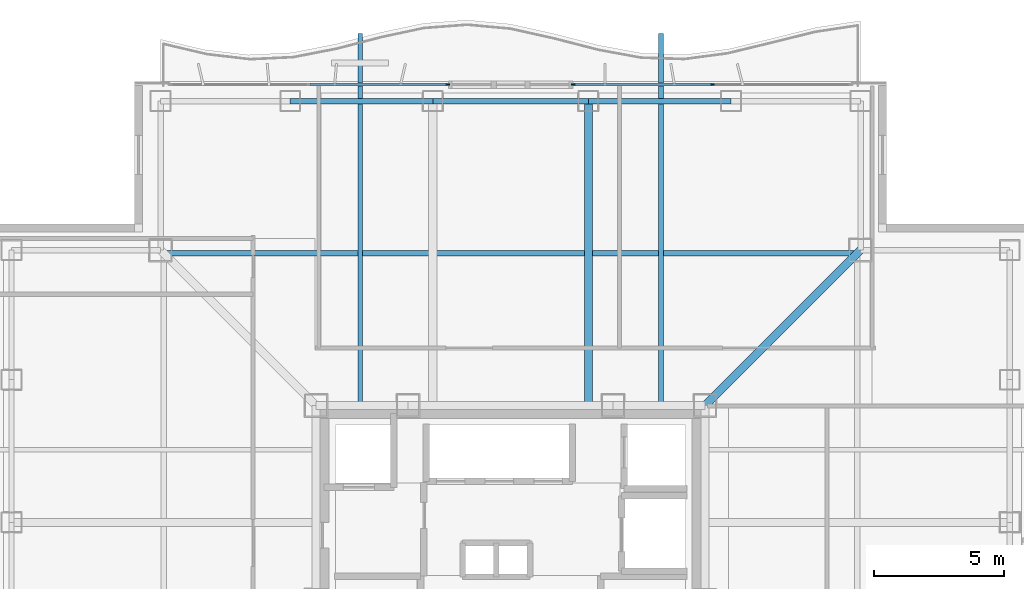
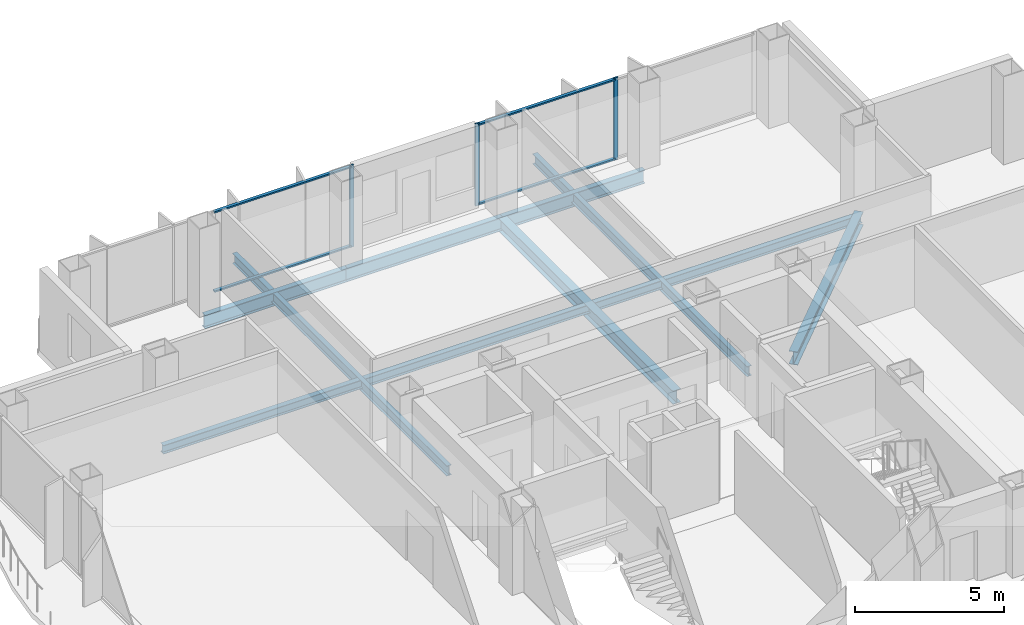
# One storey, part 8 of 16: 8 beams, 7 members, 2 elements without a shape of their own.
"""IFC4 building model written with IfcOpenShell, lengths in metres."""

from ifc_helpers import new_model, si_unit, direction, frame, origin, origin_2d, place, context, subcontext, project, spatial, rectangle, i_section, extrude, material, layer, layer_set, material_profile, profile_set, type_object, element, aggregate, save


model = new_model("IFC4")

# Units and contexts
model_context = context("Model", 3, precision=1e-05, world=origin(), true_north=direction((0.0, 1.0)))
body_context = subcontext(model_context, "Body", "Model", "MODEL_VIEW")
ifc_project = project(units=[si_unit("LENGTHUNIT", "METRE"), si_unit("AREAUNIT", "SQUARE_METRE"), si_unit("VOLUMEUNIT", "CUBIC_METRE"), si_unit("PLANEANGLEUNIT", "RADIAN"), si_unit("MASSUNIT", "GRAM", prefix="KILO")], contexts=[model_context])

# Site, building, storey
site_placement = place(None, origin())
site = spatial("IfcSite", under=ifc_project, at=site_placement, CompositionType="ELEMENT")
building_placement = place(site_placement, origin())
building = spatial("IfcBuilding", under=site, at=building_placement, Name="Trevonay Congress Spire", CompositionType="ELEMENT")
storey_placement = place(building_placement, frame((0.0, 0.0, 195.0)))
storey = spatial("IfcBuildingStorey", under=building, at=storey_placement, Name="L50", CompositionType="ELEMENT", Elevation=195.0)

# Beams
ifc_material_1 = material(Name="Steel ASTM A572 Grade 50", Category="steel")
ifc_material_profile_1 = material_profile(ifc_material_1, i_section(OverallWidth=0.31201171875, OverallDepth=0.54296875, WebThickness=0.0126953125, FlangeThickness=0.020263671875, FilletRadius=0.014892578125, at=origin_2d()), Name="W530x150")
ifc_profile_set_1 = profile_set([ifc_material_profile_1], Name="Steel ASTM A572 Grade 50")
beam_type_1 = type_object("IfcBeamType", Name="BM-GIRD-W530X150", PredefinedType="BEAM", material=ifc_profile_set_1)
beam_1_placement = place(storey_placement, frame((7.5, 7.5, -0.511474609375), z_axis=(0.707106781187, 0.707106781187, 0.0), x_axis=(-0.707106781187, 0.707106781187, 0.0)))
element("IfcBeam", 1, at=beam_1_placement, inside=storey, type_object=beam_type_1, Name="L50 structural beam BM-L50-CDNE", PredefinedType="BEAM", context=body_context, shape_type="SweptSolid", body=[
    extrude(i_section(OverallWidth=0.31201171875, OverallDepth=0.54296875, WebThickness=0.0126953125, FlangeThickness=0.020263671875, FilletRadius=0.014892578125, at=origin_2d()), origin(), (0.0, 0.0, 1.0), 8.4853515625),
])
beam_2_placement = place(storey_placement, frame((3.0, 7.5, -0.511474609375), z_axis=(0.0, 1.0, 0.0), x_axis=(-1.0, 0.0, 0.0)))
element("IfcBeam", 2, at=beam_2_placement, inside=storey, type_object=beam_type_1, Name="L50 structural beam BM-L50-GN-P", PredefinedType="BEAM", context=body_context, shape_type="SweptSolid", body=[
    extrude(i_section(OverallWidth=0.31201171875, OverallDepth=0.54296875, WebThickness=0.0126953125, FlangeThickness=0.020263671875, FilletRadius=0.014892578125, at=origin_2d()), origin(), (0.0, 0.0, 1.0), 11.75),
])
ifc_material_profile_2 = material_profile(ifc_material_1, i_section(OverallWidth=0.2119140625, OverallDepth=0.5439453125, WebThickness=0.01318359375, FlangeThickness=0.021240234375, FilletRadius=0.014892578125, at=origin_2d()), Name="W530x123")
ifc_profile_set_2 = profile_set([ifc_material_profile_2], Name="Steel ASTM A572 Grade 50")
beam_type_2 = type_object("IfcBeamType", Name="BM-RING-W530X123", PredefinedType="BEAM", material=ifc_profile_set_2)
beam_3_placement = place(storey_placement, frame((-8.5, 19.25, -0.511962890625), z_axis=(1.0, 0.0, 0.0), x_axis=(0.0, 1.0, 0.0)))
element("IfcBeam", 3, at=beam_3_placement, inside=storey, type_object=beam_type_2, Name="L50 structural beam BM-L50-PN2", PredefinedType="BEAM", context=body_context, shape_type="SweptSolid", body=[
    extrude(i_section(OverallWidth=0.2119140625, OverallDepth=0.5439453125, WebThickness=0.01318359375, FlangeThickness=0.021240234375, FilletRadius=0.014892578125, at=origin_2d()), origin(), (0.0, 0.0, 1.0), 5.5),
])
beam_4_placement = place(storey_placement, frame((-3.0, 19.25, -0.511962890625), z_axis=(1.0, 0.0, 0.0), x_axis=(0.0, 1.0, 0.0)))
element("IfcBeam", 4, at=beam_4_placement, inside=storey, type_object=beam_type_2, Name="L50 structural beam BM-L50-PN3", PredefinedType="BEAM", context=body_context, shape_type="SweptSolid", body=[
    extrude(i_section(OverallWidth=0.2119140625, OverallDepth=0.5439453125, WebThickness=0.01318359375, FlangeThickness=0.021240234375, FilletRadius=0.014892578125, at=origin_2d()), origin(), (0.0, 0.0, 1.0), 6.0),
])
beam_5_placement = place(storey_placement, frame((3.0, 19.25, -0.511962890625), z_axis=(1.0, 0.0, 0.0), x_axis=(0.0, 1.0, 0.0)))
element("IfcBeam", 5, at=beam_5_placement, inside=storey, type_object=beam_type_2, Name="L50 structural beam BM-L50-PN4", PredefinedType="BEAM", context=body_context, shape_type="SweptSolid", body=[
    extrude(i_section(OverallWidth=0.2119140625, OverallDepth=0.5439453125, WebThickness=0.01318359375, FlangeThickness=0.021240234375, FilletRadius=0.014892578125, at=origin_2d()), origin(), (0.0, 0.0, 1.0), 5.5),
])
ifc_material_profile_3 = material_profile(ifc_material_1, i_section(OverallWidth=0.180908203125, OverallDepth=0.4169921875, WebThickness=0.010986328125, FlangeThickness=0.018310546875, FilletRadius=0.012939453125, at=origin_2d()), Name="W410x85")
ifc_profile_set_3 = profile_set([ifc_material_profile_3], Name="Steel ASTM A572 Grade 50")
beam_type_3 = type_object("IfcBeamType", Name="BM-WAV-LOOKOUT", PredefinedType="BEAM", material=ifc_profile_set_3)
for number, where, z_axis, x_axis, name in (
    (6, (-5.800048828125, 7.5, -0.448486328125), (0.0, 1.0, 0.0), (-1.0, 0.0, 0.0), "L50 structural beam WLK-L50-N1"),
    (7, (5.800048828125, 7.5, -0.448486328125), (0.0, 1.0, 0.0), (-1.0, 0.0, 0.0), "L50 structural beam WLK-L50-N2"),
):
    element("IfcBeam", number, at=place(storey_placement, frame(where, z_axis=z_axis, x_axis=x_axis)), inside=storey, type_object=beam_type_3, Name=name, PredefinedType="BEAM", context=body_context, shape_type="SweptSolid", body=[
        extrude(i_section(OverallWidth=0.180908203125, OverallDepth=0.4169921875, WebThickness=0.010986328125, FlangeThickness=0.018310546875, FilletRadius=0.012939453125, at=origin_2d()), origin(), (0.0, 0.0, 1.0), 14.35009765625),
    ])

# Curtain wall, member
ifc_material_2 = material(Name="Pale Anodised Aluminium EN AW-6063-T6", Category="aluminium")
ifc_layer = layer(ifc_material_2, 0.169921875, Name="Pale Anodised Aluminium EN AW-6063-T6")
ifc_layer_set = layer_set([ifc_layer], Name="Pale Anodised Aluminium EN AW-6063-T6")
curtain_wall_type = type_object("IfcCurtainWallType", Name="CW-SYS04-CORP-PALE-METAL", PredefinedType="NOTDEFINED", material=ifc_layer_set)
curtain_wall_1_placement = place(storey_placement, origin())
curtain_wall_1 = element("IfcCurtainWall", 8, at=curtain_wall_1_placement, inside=storey, type_object=curtain_wall_type, Name="L50 NA unitised curtain wall", PredefinedType="NOTDEFINED")
ifc_material_profile_4 = material_profile(ifc_material_2, rectangle(XDim=0.06005859375, YDim=0.159912109375, at=origin_2d()), Name="CW-MULLION-160-ALUMINIUM")
ifc_profile_set_4 = profile_set([ifc_material_profile_4], Name="Pale Anodised Aluminium EN AW-6063-T6")
member_type_1 = type_object("IfcMemberType", Name="CW-MULLION-160-ALUMINIUM", PredefinedType="MULLION", material=ifc_profile_set_4)
member_1_placement = place(storey_placement, frame((-2.429931640625, 19.8798828125, 0.0), z_axis=(0.0, 0.0, 1.0), x_axis=(0.0, 1.0, 0.0)))
member_1 = element("IfcMember", 9, at=member_1_placement, type_object=member_type_1, Name="CW04 mullion 3", PredefinedType="MULLION", context=body_context, shape_type="SweptSolid", body=[
    extrude(rectangle(XDim=0.06005859375, YDim=0.159912109375, at=origin_2d()), origin(), (0.0, 0.0, 1.0), 3.360107421875),
])

# Curtain wall, members
curtain_wall_2_placement = place(storey_placement, origin())
curtain_wall_2 = element("IfcCurtainWall", 10, at=curtain_wall_2_placement, inside=storey, type_object=curtain_wall_type, Name="L50 NB unitised curtain wall", PredefinedType="NOTDEFINED")
member_2_placement = place(storey_placement, frame((2.429931640625, 19.8798828125, 0.0), z_axis=(0.0, 0.0, 1.0), x_axis=(0.0, 1.0, 0.0)))
member_2 = element("IfcMember", 11, at=member_2_placement, type_object=member_type_1, Name="CW04 mullion 1", PredefinedType="MULLION", context=body_context, shape_type="SweptSolid", body=[
    extrude(rectangle(XDim=0.06005859375, YDim=0.159912109375, at=origin_2d()), origin(), (0.0, 0.0, 1.0), 3.360107421875),
])
member_3_placement = place(storey_placement, frame((7.77490234375, 19.8798828125, 0.0), z_axis=(0.0, 0.0, 1.0), x_axis=(0.0, 1.0, 0.0)))
member_3 = element("IfcMember", 12, at=member_3_placement, type_object=member_type_1, Name="CW04 mullion 2", PredefinedType="MULLION", context=body_context, shape_type="SweptSolid", body=[
    extrude(rectangle(XDim=0.06005859375, YDim=0.159912109375, at=origin_2d()), origin(), (0.0, 0.0, 1.0), 3.360107421875),
])

# Member
ifc_material_profile_5 = material_profile(ifc_material_2, rectangle(XDim=0.1201171875, YDim=0.06005859375, at=origin_2d()), Name="CW-TRANSOM-120-ALUMINIUM")
ifc_profile_set_5 = profile_set([ifc_material_profile_5], Name="Pale Anodised Aluminium EN AW-6063-T6")
member_type_2 = type_object("IfcMemberType", Name="CW-TRANSOM-120-ALUMINIUM", PredefinedType="USERDEFINED", material=ifc_profile_set_5)
member_4_placement = place(storey_placement, frame((-7.7451171875, 19.8798828125, 0.06005859375), z_axis=(1.0, 0.0, 0.0), x_axis=(0.0, 1.0, 0.0)))
member_4 = element("IfcMember", 13, at=member_4_placement, type_object=member_type_2, Name="CW04 transom 2.1", ObjectType="TRANSOM", PredefinedType="USERDEFINED", context=body_context, shape_type="SweptSolid", body=[
    extrude(rectangle(XDim=0.1201171875, YDim=0.06005859375, at=origin_2d()), origin(), (0.0, 0.0, 1.0), 5.28515625),
])

member_5_placement = place(storey_placement, frame((-7.7451171875, 19.8798828125, 3.300048828125), z_axis=(1.0, 0.0, 0.0), x_axis=(0.0, 1.0, 0.0)))
member_5 = element("IfcMember", 14, at=member_5_placement, type_object=member_type_2, Name="CW04 transom 2.2", ObjectType="TRANSOM", PredefinedType="USERDEFINED", context=body_context, shape_type="SweptSolid", body=[
    extrude(rectangle(XDim=0.1201171875, YDim=0.06005859375, at=origin_2d()), origin(), (0.0, 0.0, 1.0), 5.28515625),
])

aggregate(curtain_wall_1, [member_1, member_4, member_5])

member_6_placement = place(storey_placement, frame((2.4599609375, 19.8798828125, 0.06005859375), z_axis=(1.0, 0.0, 0.0), x_axis=(0.0, 1.0, 0.0)))
member_6 = element("IfcMember", 15, at=member_6_placement, type_object=member_type_2, Name="CW04 transom 1.1", ObjectType="TRANSOM", PredefinedType="USERDEFINED", context=body_context, shape_type="SweptSolid", body=[
    extrude(rectangle(XDim=0.1201171875, YDim=0.06005859375, at=origin_2d()), origin(), (0.0, 0.0, 1.0), 5.28515625),
])

member_7_placement = place(storey_placement, frame((2.4599609375, 19.8798828125, 3.300048828125), z_axis=(1.0, 0.0, 0.0), x_axis=(0.0, 1.0, 0.0)))
member_7 = element("IfcMember", 16, at=member_7_placement, type_object=member_type_2, Name="CW04 transom 1.2", ObjectType="TRANSOM", PredefinedType="USERDEFINED", context=body_context, shape_type="SweptSolid", body=[
    extrude(rectangle(XDim=0.1201171875, YDim=0.06005859375, at=origin_2d()), origin(), (0.0, 0.0, 1.0), 5.28515625),
])

aggregate(curtain_wall_2, [member_2, member_3, member_6, member_7])

# Beam
ifc_material_profile_6 = material_profile(ifc_material_1, i_section(OverallWidth=0.205078125, OverallDepth=0.35400390625, WebThickness=0.009521484375, FlangeThickness=0.016845703125, FilletRadius=0.011962890625, at=origin_2d()), Name="W360x79")
ifc_profile_set_6 = profile_set([ifc_material_profile_6], Name="Steel ASTM A572 Grade 50")
beam_type_4 = type_object("IfcBeamType", Name="JS-COMP-W360X79", PredefinedType="JOIST", material=ifc_profile_set_6)
beam_6_placement = place(storey_placement, frame((-13.5, 13.375, -0.4169921875), z_axis=(1.0, 0.0, 0.0), x_axis=(0.0, 1.0, 0.0)))
element("IfcBeam", 17, at=beam_6_placement, inside=storey, type_object=beam_type_4, Name="L50 structural beam JS-L50-RING-N", PredefinedType="JOIST", context=body_context, shape_type="SweptSolid", body=[
    extrude(i_section(OverallWidth=0.205078125, OverallDepth=0.35400390625, WebThickness=0.009521484375, FlangeThickness=0.016845703125, FilletRadius=0.011962890625, at=origin_2d()), origin(), (0.0, 0.0, 1.0), 27.0),
])

save(model, "model.ifc")
